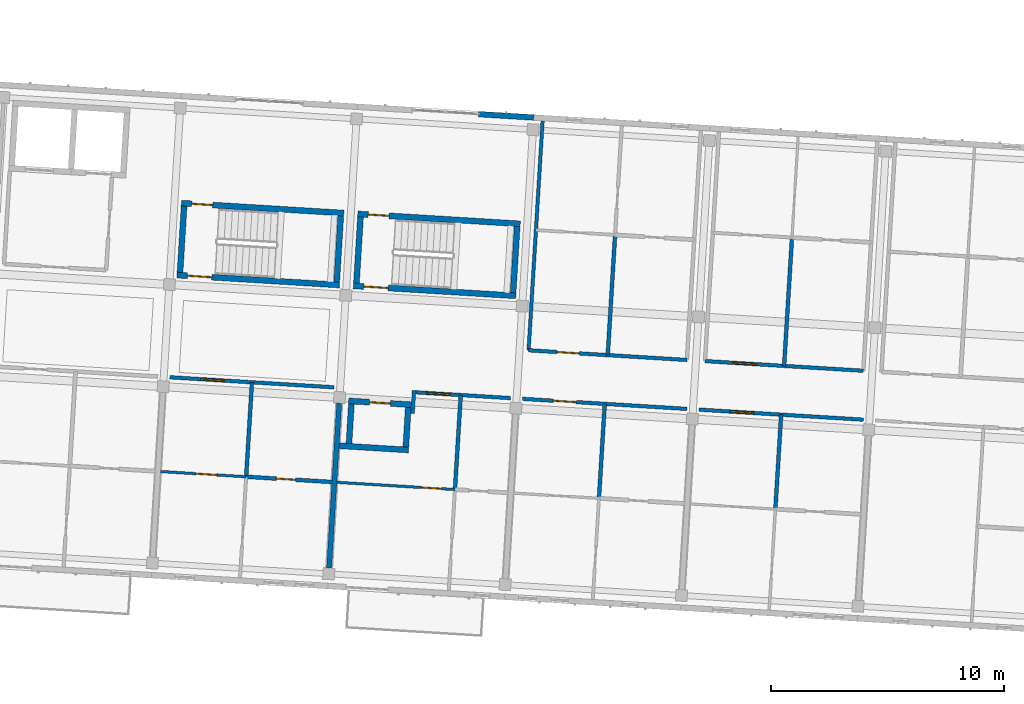
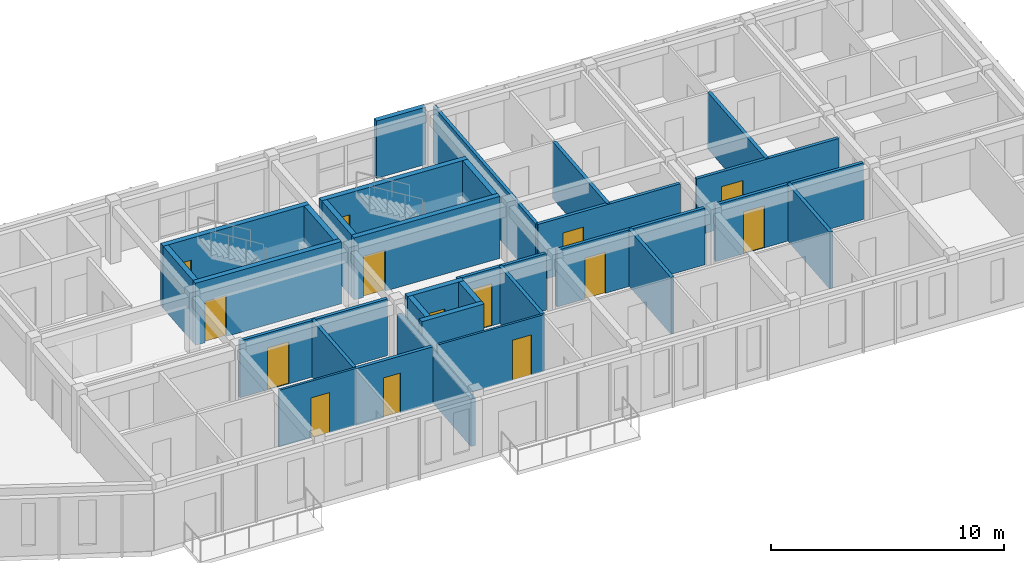
# One storey, part 26 of 66: 31 walls, 14 doors, 14 openings.
"""IFC4 building model written with IfcOpenShell, lengths in metres."""

from ifc_helpers import new_model, si_unit, direction, frame, frame_2d, origin, place, context, subcontext, project, spatial, rectangle, extrude, material, layer, layer_set, type_object, element, fill, save


model = new_model("IFC4")

# Units and contexts
model_context = context("Model", 3, precision=1e-05, world=origin(), true_north=direction((0.0, 1.0)))
body_context = subcontext(model_context, "Body", "Model", "MODEL_VIEW")
ifc_project = project(units=[si_unit("LENGTHUNIT", "METRE"), si_unit("AREAUNIT", "SQUARE_METRE"), si_unit("VOLUMEUNIT", "CUBIC_METRE"), si_unit("PLANEANGLEUNIT", "RADIAN"), si_unit("MASSUNIT", "GRAM", prefix="KILO")], contexts=[model_context])

# Site, building, storey
site_placement = place(None, origin())
site = spatial("IfcSite", under=ifc_project, at=site_placement, CompositionType="ELEMENT")
building_placement = place(site_placement, origin())
building = spatial("IfcBuilding", under=site, at=building_placement, Name="Kestramere Prow Commons", CompositionType="ELEMENT")
storey_placement = place(building_placement, frame((0.0, 0.0, 14.89990234375)))
storey = spatial("IfcBuildingStorey", under=building, at=storey_placement, Name="L04", CompositionType="ELEMENT", Elevation=14.89990234375)

# Wall
ifc_material_1 = material(Name="Fluoropolymer Standing-Seam Zinc-Aluminium Cladding", Category="aluminium")
ifc_layer_1 = layer(ifc_material_1, 0.239990234375)
ifc_layer_set_1 = layer_set([ifc_layer_1], Name="Fluoropolymer Standing-Seam Zinc-Aluminium Cladding")
wall_type_1 = type_object("IfcWallType", Name="EW-SEAM-240", PredefinedType="SOLIDWALL", material=ifc_layer_set_1)
wall_1_placement = place(storey_placement, frame((81.115478515625, 65.340576171875, 0.0), z_axis=(0.0, 0.0, 1.0), x_axis=(0.998134103342, -0.061059902923, 0.0)))
element("IfcWall", 1, at=wall_1_placement, inside=storey, type_object=wall_type_1, Name="Block C L04 North Standing-Seam Pier 3R", PredefinedType="SOLIDWALL", context=body_context, shape_type="SweptSolid", body=[
    extrude(rectangle(XDim=2.375, YDim=0.239990234375, at=frame_2d((1.1875, 0.0))), origin(), (0.0, 0.0, 1.0), 3.0),
])

# Wall, opening, door
ifc_material_2 = material(Name="Concrete C40/50", Category="concrete")
ifc_layer_2 = layer(ifc_material_2, 0.25)
ifc_layer_set_2 = layer_set([ifc_layer_2], Name="Concrete C40/50")
wall_type_2 = type_object("IfcWallType", Name="W-CORE-250", PredefinedType="SHEAR", material=ifc_layer_set_2)
wall_2_placement = place(storey_placement, frame((68.3330078125, 61.513671875, 0.0), z_axis=(0.0, 0.0, 1.0), x_axis=(0.998135676081, -0.061034188237, 0.0)))
wall_2 = element("IfcWall", 2, at=wall_2_placement, inside=storey, type_object=wall_type_2, Name="ST-C1 L04 North Shaft Wall", PredefinedType="SHEAR", context=body_context, shape_type="SweptSolid", body=[
    extrude(rectangle(XDim=7.0, YDim=0.25, at=frame_2d((3.5, 0.0))), origin(), (0.0, 0.0, 1.0), 3.25),
])
opening_1_placement = place(wall_2_placement, frame((0.449951171875, 0.0, 0.0)))
opening_1 = element("IfcOpeningElement", 3, at=opening_1_placement, cuts=wall_2, Name="Opening ID-08", PredefinedType="OPENING", context=body_context, shape_type="SweptSolid", body=[
    extrude(rectangle(XDim=0.89990234375, YDim=2.10009765625, at=frame_2d((0.449951171875, 1.050048828125))), frame((0.0, 0.139892578125, 0.0), z_axis=(0.0, -1.0, 0.0), x_axis=(1.0, 0.0, 0.0)), (0.0, 0.0, 1.0), 0.280029296875),
])
ifc_material_3 = material(Name="Engineered Timber Flush Door", Category="wood")
door_type_1 = type_object("IfcDoorType", Name="D-RM-01", OperationType="NOTDEFINED", PredefinedType="DOOR", material=ifc_material_3)
door_1_placement = place(opening_1_placement, origin())
door_1 = element("IfcDoor", 4, at=door_1_placement, inside=storey, type_object=door_type_1, Name="ST-C1 L04 North Room Door", OperationType="SINGLE_SWING_RIGHT", OverallHeight=2.10009765625, OverallWidth=0.89990234375, PredefinedType="DOOR", context=body_context, shape_type="SweptSolid", body=[
    extrude(rectangle(XDim=0.89990234375, YDim=2.10009765625, at=frame_2d((0.449951171875, 1.050048828125))), frame((0.0, 0.02490234375, 0.0), z_axis=(0.0, -1.0, 0.0), x_axis=(1.0, 0.0, 0.0)), (0.0, 0.0, 1.0), 0.050048828125),
])
fill(opening_1, door_1)

wall_3_placement = place(storey_placement, frame((68.143798828125, 58.41943359375, 0.0), z_axis=(0.0, 0.0, 1.0), x_axis=(0.998135546153, -0.061036313012, 0.0)))
wall_3 = element("IfcWall", 5, at=wall_3_placement, inside=storey, type_object=wall_type_2, Name="ST-C1 L04 Corridor Shaft Wall", PredefinedType="SHEAR", context=body_context, shape_type="SweptSolid", body=[
    extrude(rectangle(XDim=6.999755859375, YDim=0.25, at=frame_2d((3.5, 0.0))), origin(), (0.0, 0.0, 1.0), 3.25),
])
opening_2_placement = place(wall_3_placement, frame((0.449951171875, 0.0, 0.0)))
opening_2 = element("IfcOpeningElement", 6, at=opening_2_placement, cuts=wall_3, Name="Opening ID-01", PredefinedType="OPENING", context=body_context, shape_type="SweptSolid", body=[
    extrude(rectangle(XDim=1.050048828125, YDim=2.14990234375, at=frame_2d((0.52490234375, 1.074951171875))), frame((0.0, 0.139892578125, 0.0), z_axis=(0.0, -1.0, 0.0), x_axis=(1.0, 0.0, 0.0)), (0.0, 0.0, 1.0), 0.280029296875),
])
ifc_material_4 = material(Name="Fire-Rated Timber and Steel Frame", Category="steel")
door_type_2 = type_object("IfcDoorType", Name="FD-ST-01", OperationType="NOTDEFINED", PredefinedType="DOOR", material=ifc_material_4)
door_2_placement = place(opening_2_placement, origin())
door_2 = element("IfcDoor", 7, at=door_2_placement, inside=storey, type_object=door_type_2, Name="ST-C1 L04 Protected Stair Door", OperationType="SINGLE_SWING_LEFT", OverallHeight=2.14990234375, OverallWidth=1.050048828125, PredefinedType="DOOR", context=body_context, shape_type="SweptSolid", body=[
    extrude(rectangle(XDim=1.050048828125, YDim=2.14990234375, at=frame_2d((0.52490234375, 1.074951171875))), frame((0.0, 0.02490234375, 0.0), z_axis=(0.0, -1.0, 0.0), x_axis=(1.0, 0.0, 0.0)), (0.0, 0.0, 1.0), 0.050048828125),
])
fill(opening_2, door_2)

# Walls
for number, where, z_axis, x_axis, name in (
    (8, (68.276123046875, 58.53662109375, 0.0), (0.0, 0.0, 1.0), (0.06107697143, 0.998133059046, 0.0), "ST-C1 L04 Near Shaft Wall"),
    (9, (75.013671875, 58.12451171875, 0.0), (0.0, 0.0, 1.0), (0.060991628362, 0.99813827763, 0.0), "ST-C1 L04 Far Shaft Wall"),
):
    element("IfcWall", number, at=place(storey_placement, frame(where, z_axis=z_axis, x_axis=x_axis)), inside=storey, type_object=wall_type_2, Name=name, PredefinedType="SHEAR", context=body_context, shape_type="SweptSolid", body=[
        extrude(rectangle(XDim=2.85009765625, YDim=0.25, at=frame_2d((1.425048828125, 0.0))), origin(), (0.0, 0.0, 1.0), 3.25),
    ])

# Wall, opening, door
wall_4_placement = place(storey_placement, frame((75.9189453125, 61.0498046875, 0.0), z_axis=(0.0, 0.0, 1.0), x_axis=(0.998135546153, -0.061036313012, 0.0)))
wall_4 = element("IfcWall", 10, at=wall_4_placement, inside=storey, type_object=wall_type_2, Name="ST-C2 L04 North Shaft Wall", PredefinedType="SHEAR", context=body_context, shape_type="SweptSolid", body=[
    extrude(rectangle(XDim=6.999755859375, YDim=0.25, at=frame_2d((3.5, 0.0))), origin(), (0.0, 0.0, 1.0), 3.25),
])
opening_3_placement = place(wall_4_placement, frame((0.449951171875, 0.0, 0.0)))
opening_3 = element("IfcOpeningElement", 11, at=opening_3_placement, cuts=wall_4, Name="Opening ID-08", PredefinedType="OPENING", context=body_context, shape_type="SweptSolid", body=[
    extrude(rectangle(XDim=0.89990234375, YDim=2.10009765625, at=frame_2d((0.449951171875, 1.050048828125))), frame((0.0, 0.139892578125, 0.0), z_axis=(0.0, -1.0, 0.0), x_axis=(1.0, 0.0, 0.0)), (0.0, 0.0, 1.0), 0.280029296875),
])
door_3_placement = place(opening_3_placement, origin())
door_3 = element("IfcDoor", 12, at=door_3_placement, inside=storey, type_object=door_type_1, Name="ST-C2 L04 North Room Door", OperationType="SINGLE_SWING_RIGHT", OverallHeight=2.10009765625, OverallWidth=0.89990234375, PredefinedType="DOOR", context=body_context, shape_type="SweptSolid", body=[
    extrude(rectangle(XDim=0.89990234375, YDim=2.10009765625, at=frame_2d((0.449951171875, 1.050048828125))), frame((0.0, 0.02490234375, 0.0), z_axis=(0.0, -1.0, 0.0), x_axis=(1.0, 0.0, 0.0)), (0.0, 0.0, 1.0), 0.050048828125),
])
fill(opening_3, door_3)

wall_5_placement = place(storey_placement, frame((75.729736328125, 57.95556640625, 0.0), z_axis=(0.0, 0.0, 1.0), x_axis=(0.998135546153, -0.061036313012, 0.0)))
wall_5 = element("IfcWall", 13, at=wall_5_placement, inside=storey, type_object=wall_type_2, Name="ST-C2 L04 Corridor Shaft Wall", PredefinedType="SHEAR", context=body_context, shape_type="SweptSolid", body=[
    extrude(rectangle(XDim=6.999755859375, YDim=0.25, at=frame_2d((3.5, 0.0))), origin(), (0.0, 0.0, 1.0), 3.25),
])
opening_4_placement = place(wall_5_placement, frame((0.449951171875, 0.0, 0.0)))
opening_4 = element("IfcOpeningElement", 14, at=opening_4_placement, cuts=wall_5, Name="Opening ID-01", PredefinedType="OPENING", context=body_context, shape_type="SweptSolid", body=[
    extrude(rectangle(XDim=1.050048828125, YDim=2.14990234375, at=frame_2d((0.52490234375, 1.074951171875))), frame((0.0, 0.139892578125, 0.0), z_axis=(0.0, -1.0, 0.0), x_axis=(1.0, 0.0, 0.0)), (0.0, 0.0, 1.0), 0.280029296875),
])
door_4_placement = place(opening_4_placement, origin())
door_4 = element("IfcDoor", 15, at=door_4_placement, inside=storey, type_object=door_type_2, Name="ST-C2 L04 Protected Stair Door", OperationType="SINGLE_SWING_LEFT", OverallHeight=2.14990234375, OverallWidth=1.050048828125, PredefinedType="DOOR", context=body_context, shape_type="SweptSolid", body=[
    extrude(rectangle(XDim=1.050048828125, YDim=2.14990234375, at=frame_2d((0.52490234375, 1.074951171875))), frame((0.0, 0.02490234375, 0.0), z_axis=(0.0, -1.0, 0.0), x_axis=(1.0, 0.0, 0.0)), (0.0, 0.0, 1.0), 0.050048828125),
])
fill(opening_4, door_4)

# Walls
for number, where, z_axis, x_axis, name in (
    (16, (75.862060546875, 58.07275390625, 0.0), (0.0, 0.0, 1.0), (0.060991628362, 0.99813827763, 0.0), "ST-C2 L04 Near Shaft Wall"),
    (17, (82.599365234375, 57.66064453125, 0.0), (0.0, 0.0, 1.0), (0.06107697143, 0.998133059046, 0.0), "ST-C2 L04 Far Shaft Wall"),
):
    element("IfcWall", number, at=place(storey_placement, frame(where, z_axis=z_axis, x_axis=x_axis)), inside=storey, type_object=wall_type_2, Name=name, PredefinedType="SHEAR", context=body_context, shape_type="SweptSolid", body=[
        extrude(rectangle(XDim=2.85009765625, YDim=0.25, at=frame_2d((1.425048828125, 0.0))), origin(), (0.0, 0.0, 1.0), 3.25),
    ])

# Wall, opening, door
ifc_material_5 = material(Name="Fire-Rated Calcium Silicate Wall")
ifc_layer_3 = layer(ifc_material_5, 0.155029296875)
ifc_layer_set_3 = layer_set([ifc_layer_3], Name="Fire-Rated Calcium Silicate Wall")
wall_type_3 = type_object("IfcWallType", Name="W-FIRE-150", PredefinedType="PARTITIONING", material=ifc_layer_set_3)
wall_6_placement = place(storey_placement, frame((67.8349609375, 54.025146484375, 0.0), z_axis=(0.0, 0.0, 1.0), x_axis=(0.998135666539, -0.061034344288, 0.0)))
wall_6 = element("IfcWall", 18, at=wall_6_placement, inside=storey, type_object=wall_type_3, Name="Interior Partition PW-C-L04-CS-1", PredefinedType="PARTITIONING", context=body_context, shape_type="SweptSolid", body=[
    extrude(rectangle(XDim=7.080078125, YDim=0.155029296875, at=frame_2d((3.5400390625, 0.0))), origin(), (0.0, 0.0, 1.0), 2.97021484375),
])
opening_5_placement = place(wall_6_placement, frame((1.330078125, 0.0, 0.0)))
opening_5 = element("IfcOpeningElement", 19, at=opening_5_placement, cuts=wall_6, Name="Opening ID-05", PredefinedType="OPENING", context=body_context, shape_type="SweptSolid", body=[
    extrude(rectangle(XDim=1.02001953125, YDim=2.199951171875, at=frame_2d((0.510009765625, 1.10009765625))), frame((0.0, 0.092529296875, 0.0), z_axis=(0.0, -1.0, 0.0), x_axis=(1.0, 0.0, 0.0)), (0.0, 0.0, 1.0), 0.18505859375),
])
ifc_material_6 = material(Name="Hardwood Fire-Rated Flat Entrance Door", Category="wood")
door_type_3 = type_object("IfcDoorType", Name="FD-ENT-02", OperationType="NOTDEFINED", PredefinedType="DOOR", material=ifc_material_6)
door_5_placement = place(opening_5_placement, origin())
door_5 = element("IfcDoor", 20, at=door_5_placement, inside=storey, type_object=door_type_3, Name="Interior Door DR-C-L04-ENT-S1", OperationType="SINGLE_SWING_RIGHT", OverallHeight=2.199951171875, OverallWidth=1.02001953125, PredefinedType="DOOR", context=body_context, shape_type="SweptSolid", body=[
    extrude(rectangle(XDim=1.02001953125, YDim=2.199951171875, at=frame_2d((0.510009765625, 1.10009765625))), frame((0.0, 0.02490234375, 0.0), z_axis=(0.0, -1.0, 0.0), x_axis=(1.0, 0.0, 0.0)), (0.0, 0.0, 1.0), 0.050048828125),
])
fill(opening_5, door_5)

# Wall
wall_7_placement = place(storey_placement, frame((78.279052734375, 52.464599609375, 0.0), z_axis=(0.0, 0.0, 1.0), x_axis=(0.061095097219, 0.998131949742, 0.0)))
element("IfcWall", 21, at=wall_7_placement, inside=storey, type_object=wall_type_3, Name="Interior Partition PW-C-L04-HS-CLOSER", PredefinedType="PARTITIONING", context=body_context, shape_type="SweptSolid", body=[
    extrude(rectangle(XDim=0.9951171875, YDim=0.155029296875, at=frame_2d((0.49755859375, 0.0))), origin(), (0.0, 0.0, 1.0), 2.97021484375),
])

# Wall, opening, door
wall_8_placement = place(storey_placement, frame((78.415283203125, 53.378173828125, 0.0), z_axis=(0.0, 0.0, 1.0), x_axis=(0.998131852862, -0.061096679962, 0.0)))
wall_8 = element("IfcWall", 22, at=wall_8_placement, inside=storey, type_object=wall_type_3, Name="Interior Partition PW-C-L04-CS-2", PredefinedType="PARTITIONING", context=body_context, shape_type="SweptSolid", body=[
    extrude(rectangle(XDim=4.079833984375, YDim=0.155029296875, at=frame_2d((2.0400390625, 0.0))), origin(), (0.0, 0.0, 1.0), 2.97021484375),
])
opening_6_placement = place(wall_8_placement, frame((0.45703125, 0.0, 0.0)))
opening_6 = element("IfcOpeningElement", 23, at=opening_6_placement, cuts=wall_8, Name="Opening ID-05", PredefinedType="OPENING", context=body_context, shape_type="SweptSolid", body=[
    extrude(rectangle(XDim=1.02001953125, YDim=2.199951171875, at=frame_2d((0.510009765625, 1.10009765625))), frame((0.0, 0.092529296875, 0.0), z_axis=(0.0, -1.0, 0.0), x_axis=(1.0, 0.0, 0.0)), (0.0, 0.0, 1.0), 0.18505859375),
])
door_6_placement = place(opening_6_placement, origin())
door_6 = element("IfcDoor", 24, at=door_6_placement, inside=storey, type_object=door_type_3, Name="Interior Door DR-C-L04-ENT-S2", OperationType="SINGLE_SWING_LEFT", OverallHeight=2.199951171875, OverallWidth=1.02001953125, PredefinedType="DOOR", context=body_context, shape_type="SweptSolid", body=[
    extrude(rectangle(XDim=1.02001953125, YDim=2.199951171875, at=frame_2d((0.510009765625, 1.10009765625))), frame((0.0, 0.02490234375, 0.0), z_axis=(0.0, -1.0, 0.0), x_axis=(1.0, 0.0, 0.0)), (0.0, 0.0, 1.0), 0.050048828125),
])
fill(opening_6, door_6)

wall_9_placement = place(storey_placement, frame((83.006591796875, 53.09716796875, 0.0), z_axis=(0.0, 0.0, 1.0), x_axis=(0.998135666539, -0.061034344288, 0.0)))
wall_9 = element("IfcWall", 25, at=wall_9_placement, inside=storey, type_object=wall_type_3, Name="Interior Partition PW-C-L04-CS-3", PredefinedType="PARTITIONING", context=body_context, shape_type="SweptSolid", body=[
    extrude(rectangle(XDim=7.080078125, YDim=0.155029296875, at=frame_2d((3.5400390625, 0.0))), origin(), (0.0, 0.0, 1.0), 2.97021484375),
])
opening_7_placement = place(wall_9_placement, frame((1.330078125, 0.0, 0.0)))
opening_7 = element("IfcOpeningElement", 26, at=opening_7_placement, cuts=wall_9, Name="Opening ID-04", PredefinedType="OPENING", context=body_context, shape_type="SweptSolid", body=[
    extrude(rectangle(XDim=0.97998046875, YDim=2.14990234375, at=frame_2d((0.489990234375, 1.074951171875))), frame((0.0, 0.092529296875, 0.0), z_axis=(0.0, -1.0, 0.0), x_axis=(1.0, 0.0, 0.0)), (0.0, 0.0, 1.0), 0.18505859375),
])
door_type_4 = type_object("IfcDoorType", Name="FD-ENT-01", OperationType="NOTDEFINED", PredefinedType="DOOR", material=ifc_material_6)
door_7_placement = place(opening_7_placement, origin())
door_7 = element("IfcDoor", 27, at=door_7_placement, inside=storey, type_object=door_type_4, Name="Interior Door DR-C-L04-ENT-S3", OperationType="SINGLE_SWING_RIGHT", OverallHeight=2.14990234375, OverallWidth=0.97998046875, PredefinedType="DOOR", context=body_context, shape_type="SweptSolid", body=[
    extrude(rectangle(XDim=0.97998046875, YDim=2.14990234375, at=frame_2d((0.489990234375, 1.074951171875))), frame((0.0, 0.02490234375, 0.0), z_axis=(0.0, -1.0, 0.0), x_axis=(1.0, 0.0, 0.0)), (0.0, 0.0, 1.0), 0.050048828125),
])
fill(opening_7, door_7)

wall_10_placement = place(storey_placement, frame((90.592529296875, 52.63330078125, 0.0), z_axis=(0.0, 0.0, 1.0), x_axis=(0.998135538078, -0.061036445065, 0.0)))
wall_10 = element("IfcWall", 28, at=wall_10_placement, inside=storey, type_object=wall_type_3, Name="Interior Partition PW-C-L04-CS-4", PredefinedType="PARTITIONING", context=body_context, shape_type="SweptSolid", body=[
    extrude(rectangle(XDim=7.079833984375, YDim=0.155029296875, at=frame_2d((3.5400390625, 0.0))), origin(), (0.0, 0.0, 1.0), 2.97021484375),
])
opening_8_placement = place(wall_10_placement, frame((1.330078125, 0.0, 0.0)))
opening_8 = element("IfcOpeningElement", 29, at=opening_8_placement, cuts=wall_10, Name="Opening ID-05", PredefinedType="OPENING", context=body_context, shape_type="SweptSolid", body=[
    extrude(rectangle(XDim=1.02001953125, YDim=2.199951171875, at=frame_2d((0.510009765625, 1.10009765625))), frame((0.0, 0.092529296875, 0.0), z_axis=(0.0, -1.0, 0.0), x_axis=(1.0, 0.0, 0.0)), (0.0, 0.0, 1.0), 0.18505859375),
])
door_8_placement = place(opening_8_placement, origin())
door_8 = element("IfcDoor", 30, at=door_8_placement, inside=storey, type_object=door_type_3, Name="Interior Door DR-C-L04-ENT-S4", OperationType="SINGLE_SWING_LEFT", OverallHeight=2.199951171875, OverallWidth=1.02001953125, PredefinedType="DOOR", context=body_context, shape_type="SweptSolid", body=[
    extrude(rectangle(XDim=1.02001953125, YDim=2.199951171875, at=frame_2d((0.510009765625, 1.10009765625))), frame((0.0, 0.02490234375, 0.0), z_axis=(0.0, -1.0, 0.0), x_axis=(1.0, 0.0, 0.0)), (0.0, 0.0, 1.0), 0.050048828125),
])
fill(opening_8, door_8)

wall_11_placement = place(storey_placement, frame((83.2646484375, 55.185302734375, 0.0), z_axis=(0.0, 0.0, 1.0), x_axis=(0.998135531673, -0.061036549799, 0.0)))
wall_11 = element("IfcWall", 31, at=wall_11_placement, inside=storey, type_object=wall_type_3, Name="Interior Partition PW-C-L04-CN-3", PredefinedType="PARTITIONING", context=body_context, shape_type="SweptSolid", body=[
    extrude(rectangle(XDim=6.81982421875, YDim=0.155029296875, at=frame_2d((3.409912109375, 0.0))), origin(), (0.0, 0.0, 1.0), 2.97021484375),
])
opening_9_placement = place(wall_11_placement, frame((1.205078125, 0.0, 0.0)))
opening_9 = element("IfcOpeningElement", 32, at=opening_9_placement, cuts=wall_11, Name="Opening ID-04", PredefinedType="OPENING", context=body_context, shape_type="SweptSolid", body=[
    extrude(rectangle(XDim=0.97998046875, YDim=2.14990234375, at=frame_2d((0.489990234375, 1.074951171875))), frame((0.0, 0.092529296875, 0.0), z_axis=(0.0, -1.0, 0.0), x_axis=(1.0, 0.0, 0.0)), (0.0, 0.0, 1.0), 0.18505859375),
])
door_9_placement = place(opening_9_placement, origin())
door_9 = element("IfcDoor", 33, at=door_9_placement, inside=storey, type_object=door_type_4, Name="Interior Door DR-C-L04-ENT-N3", OperationType="SINGLE_SWING_RIGHT", OverallHeight=2.14990234375, OverallWidth=0.97998046875, PredefinedType="DOOR", context=body_context, shape_type="SweptSolid", body=[
    extrude(rectangle(XDim=0.97998046875, YDim=2.14990234375, at=frame_2d((0.489990234375, 1.074951171875))), frame((0.0, 0.02490234375, 0.0), z_axis=(0.0, -1.0, 0.0), x_axis=(1.0, 0.0, 0.0)), (0.0, 0.0, 1.0), 0.050048828125),
])
fill(opening_9, door_9)

wall_12_placement = place(storey_placement, frame((90.850341796875, 54.721435546875, 0.0), z_axis=(0.0, 0.0, 1.0), x_axis=(0.998135665032, -0.06103436893, 0.0)))
wall_12 = element("IfcWall", 34, at=wall_12_placement, inside=storey, type_object=wall_type_3, Name="Interior Partition PW-C-L04-CN-4", PredefinedType="PARTITIONING", context=body_context, shape_type="SweptSolid", body=[
    extrude(rectangle(XDim=6.820068359375, YDim=0.155029296875, at=frame_2d((3.41015625, 0.0))), origin(), (0.0, 0.0, 1.0), 2.97021484375),
])
opening_10_placement = place(wall_12_placement, frame((1.205078125, 0.0, 0.0)))
opening_10 = element("IfcOpeningElement", 35, at=opening_10_placement, cuts=wall_12, Name="Opening ID-05", PredefinedType="OPENING", context=body_context, shape_type="SweptSolid", body=[
    extrude(rectangle(XDim=1.02001953125, YDim=2.199951171875, at=frame_2d((0.510009765625, 1.10009765625))), frame((0.0, 0.092529296875, 0.0), z_axis=(0.0, -1.0, 0.0), x_axis=(1.0, 0.0, 0.0)), (0.0, 0.0, 1.0), 0.18505859375),
])
door_10_placement = place(opening_10_placement, origin())
door_10 = element("IfcDoor", 36, at=door_10_placement, inside=storey, type_object=door_type_3, Name="Interior Door DR-C-L04-ENT-N4", OperationType="SINGLE_SWING_LEFT", OverallHeight=2.199951171875, OverallWidth=1.02001953125, PredefinedType="DOOR", context=body_context, shape_type="SweptSolid", body=[
    extrude(rectangle(XDim=1.02001953125, YDim=2.199951171875, at=frame_2d((0.510009765625, 1.10009765625))), frame((0.0, 0.02490234375, 0.0), z_axis=(0.0, -1.0, 0.0), x_axis=(1.0, 0.0, 0.0)), (0.0, 0.0, 1.0), 0.050048828125),
])
fill(opening_10, door_10)

# Wall
ifc_layer_4 = layer(ifc_material_2, 0.25)
ifc_layer_set_4 = layer_set([ifc_layer_4], Name="Concrete C40/50")
wall_type_4 = type_object("IfcWallType", Name="W-HS-250", PredefinedType="SHEAR", material=ifc_layer_set_4)
wall_13_placement = place(storey_placement, frame((75.11865234375, 51.080078125, 0.0), z_axis=(0.0, 0.0, 1.0), x_axis=(0.998133370443, -0.061071882298, 0.0)))
element("IfcWall", 37, at=wall_13_placement, inside=storey, type_object=wall_type_4, Name="Block C L04 Household Shelter South Wall", PredefinedType="SHEAR", context=body_context, shape_type="SweptSolid", body=[
    extrude(rectangle(XDim=2.990234375, YDim=0.25, at=frame_2d((1.4951171875, 0.0))), origin(), (0.0, 0.0, 1.0), 3.25),
])

# Wall, opening, door
wall_14_placement = place(storey_placement, frame((75.52734375, 53.0087890625, 0.0), z_axis=(0.0, 0.0, 1.0), x_axis=(0.998129907752, -0.061128448781, 0.0)))
wall_14 = element("IfcWall", 38, at=wall_14_placement, inside=storey, type_object=wall_type_4, Name="Block C L04 Household Shelter North Wall", PredefinedType="SHEAR", context=body_context, shape_type="SweptSolid", body=[
    extrude(rectangle(XDim=2.699951171875, YDim=0.25, at=frame_2d((1.35009765625, 0.0))), origin(), (0.0, 0.0, 1.0), 3.25),
])
opening_11_placement = place(wall_14_placement, frame((0.89990234375, 0.0, 0.0)))
opening_11 = element("IfcOpeningElement", 39, at=opening_11_placement, cuts=wall_14, Name="Opening ID-06", PredefinedType="OPENING", context=body_context, shape_type="SweptSolid", body=[
    extrude(rectangle(XDim=0.89990234375, YDim=2.050048828125, at=frame_2d((0.449951171875, 1.02490234375))), frame((0.0, 0.139892578125, 0.0), z_axis=(0.0, -1.0, 0.0), x_axis=(1.0, 0.0, 0.0)), (0.0, 0.0, 1.0), 0.280029296875),
])
ifc_material_7 = material(Name="Galvanised Steel S275JR Household Shelter Door", Category="steel")
door_type_5 = type_object("IfcDoorType", Name="FD-HS-01", OperationType="NOTDEFINED", PredefinedType="DOOR", material=ifc_material_7)
door_11_placement = place(opening_11_placement, origin())
door_11 = element("IfcDoor", 40, at=door_11_placement, inside=storey, type_object=door_type_5, Name="Block C L04 Household Shelter Blast Door", OperationType="SINGLE_SWING_RIGHT", OverallHeight=2.050048828125, OverallWidth=0.89990234375, PredefinedType="DOOR", context=body_context, shape_type="SweptSolid", body=[
    extrude(rectangle(XDim=0.89990234375, YDim=2.050048828125, at=frame_2d((0.449951171875, 1.02490234375))), frame((0.0, 0.02490234375, 0.0), z_axis=(0.0, -1.0, 0.0), x_axis=(1.0, 0.0, 0.0)), (0.0, 0.0, 1.0), 0.050048828125),
])
fill(opening_11, door_11)

# Walls
wall_15_placement = place(storey_placement, frame((75.54052734375, 51.179443359375, 0.0), z_axis=(0.0, 0.0, 1.0), x_axis=(0.061037062968, 0.998135500293, 0.0)))
element("IfcWall", 41, at=wall_15_placement, inside=storey, type_object=wall_type_4, Name="Block C L04 Household Shelter W Wall", PredefinedType="SHEAR", context=body_context, shape_type="SweptSolid", body=[
    extrude(rectangle(XDim=1.699951171875, YDim=0.25, at=frame_2d((0.85009765625, 0.0))), origin(), (0.0, 0.0, 1.0), 3.25),
])
wall_16_placement = place(storey_placement, frame((77.986083984375, 51.02978515625, 0.0), z_axis=(0.0, 0.0, 1.0), x_axis=(0.061028314627, 0.998136035225, 0.0)))
element("IfcWall", 42, at=wall_16_placement, inside=storey, type_object=wall_type_4, Name="Block C L04 Household Shelter E Wall", PredefinedType="SHEAR", context=body_context, shape_type="SweptSolid", body=[
    extrude(rectangle(XDim=1.7001953125, YDim=0.25, at=frame_2d((0.85009765625, 0.0))), origin(), (0.0, 0.0, 1.0), 3.25),
])

# Wall, opening, door
ifc_material_8 = material(Name="Gypsum Acoustic Drywall")
ifc_layer_5 = layer(ifc_material_8, 0.110107421875)
ifc_layer_set_5 = layer_set([ifc_layer_5], Name="Gypsum Acoustic Drywall")
wall_type_5 = type_object("IfcWallType", Name="W-PART-110", PredefinedType="PARTITIONING", material=ifc_layer_set_5)
wall_17_placement = place(storey_placement, frame((67.441650390625, 49.9716796875, 0.0), z_axis=(0.0, 0.0, 1.0), x_axis=(0.998132682596, -0.061083123148, 0.0)))
wall_17 = element("IfcWall", 43, at=wall_17_placement, inside=storey, type_object=wall_type_5, Name="Interior Partition PW-C-L04-MIDS1-1", PredefinedType="PARTITIONING", context=body_context, shape_type="SweptSolid", body=[
    extrude(rectangle(XDim=3.68505859375, YDim=0.110107421875, at=frame_2d((1.842529296875, 0.0))), origin(), (0.0, 0.0, 1.0), 2.97021484375),
])
opening_12_placement = place(wall_17_placement, frame((1.52490234375, 0.0, 0.0)))
opening_12 = element("IfcOpeningElement", 44, at=opening_12_placement, cuts=wall_17, Name="Opening ID-08", PredefinedType="OPENING", context=body_context, shape_type="SweptSolid", body=[
    extrude(rectangle(XDim=0.89990234375, YDim=2.10009765625, at=frame_2d((0.449951171875, 1.050048828125))), frame((0.0, 0.070068359375, 0.0), z_axis=(0.0, -1.0, 0.0), x_axis=(1.0, 0.0, 0.0)), (0.0, 0.0, 1.0), 0.14013671875),
])
door_12_placement = place(opening_12_placement, origin())
door_12 = element("IfcDoor", 45, at=door_12_placement, inside=storey, type_object=door_type_1, Name="Interior Door DR-C-L04-KL-S1", OperationType="SINGLE_SWING_RIGHT", OverallHeight=2.10009765625, OverallWidth=0.89990234375, PredefinedType="DOOR", context=body_context, shape_type="SweptSolid", body=[
    extrude(rectangle(XDim=0.89990234375, YDim=2.10009765625, at=frame_2d((0.449951171875, 1.050048828125))), frame((0.0, 0.02490234375, 0.0), z_axis=(0.0, -1.0, 0.0), x_axis=(1.0, 0.0, 0.0)), (0.0, 0.0, 1.0), 0.050048828125),
])
fill(opening_12, door_12)

wall_18_placement = place(storey_placement, frame((75.027587890625, 49.507568359375, 0.0), z_axis=(0.0, 0.0, 1.0), x_axis=(0.998135637207, -0.061034823981, 0.0)))
wall_18 = element("IfcWall", 46, at=wall_18_placement, inside=storey, type_object=wall_type_5, Name="Interior Partition PW-C-L04-MIDS1-2", PredefinedType="PARTITIONING", context=body_context, shape_type="SweptSolid", body=[
    extrude(rectangle(XDim=5.080078125, YDim=0.110107421875, at=frame_2d((2.5400390625, 0.0))), origin(), (0.0, 0.0, 1.0), 2.97021484375),
])
opening_13_placement = place(wall_18_placement, frame((3.594970703125, 0.0, 0.0)))
opening_13 = element("IfcOpeningElement", 47, at=opening_13_placement, cuts=wall_18, Name="Opening ID-08", PredefinedType="OPENING", context=body_context, shape_type="SweptSolid", body=[
    extrude(rectangle(XDim=0.89990234375, YDim=2.10009765625, at=frame_2d((0.449951171875, 1.050048828125))), frame((0.0, 0.070068359375, 0.0), z_axis=(0.0, -1.0, 0.0), x_axis=(1.0, 0.0, 0.0)), (0.0, 0.0, 1.0), 0.14013671875),
])
door_13_placement = place(opening_13_placement, origin())
door_13 = element("IfcDoor", 48, at=door_13_placement, inside=storey, type_object=door_type_1, Name="Interior Door DR-C-L04-KL-S2", OperationType="SINGLE_SWING_RIGHT", OverallHeight=2.10009765625, OverallWidth=0.89990234375, PredefinedType="DOOR", context=body_context, shape_type="SweptSolid", body=[
    extrude(rectangle(XDim=0.89990234375, YDim=2.10009765625, at=frame_2d((0.449951171875, 1.050048828125))), frame((0.0, 0.02490234375, 0.0), z_axis=(0.0, -1.0, 0.0), x_axis=(1.0, 0.0, 0.0)), (0.0, 0.0, 1.0), 0.050048828125),
])
fill(opening_13, door_13)

# Wall
ifc_material_9 = material(Name="Masonry Compartment Wall", Category="masonry")
ifc_layer_6 = layer(ifc_material_9, 0.14990234375)
ifc_layer_set_6 = layer_set([ifc_layer_6], Name="Masonry Compartment Wall")
wall_type_6 = type_object("IfcWallType", Name="W-PART-150", PredefinedType="PARTITIONING", material=ifc_layer_set_6)
wall_19_placement = place(storey_placement, frame((83.2646484375, 55.185302734375, 0.0), z_axis=(0.0, 0.0, 1.0), x_axis=(0.061046193261, 0.998134941923, 0.0)))
element("IfcWall", 49, at=wall_19_placement, inside=storey, type_object=wall_type_6, Name="Interior Partition PW-C-L04-NWL-3", PredefinedType="PARTITIONING", context=body_context, shape_type="SweptSolid", body=[
    extrude(rectangle(XDim=9.8701171875, YDim=0.14990234375, at=frame_2d((4.93505859375, 0.0))), origin(), (0.0, 0.0, 1.0), 2.97021484375),
])

# Wall, opening, door
ifc_material_10 = material(Name="Waterproof Sanitary Masonry Wall", Category="masonry")
ifc_layer_7 = layer(ifc_material_10, 0.1650390625)
ifc_layer_set_7 = layer_set([ifc_layer_7], Name="Waterproof Sanitary Masonry Wall")
wall_type_7 = type_object("IfcWallType", Name="W-PLUMB-150", PredefinedType="PLUMBINGWALL", material=ifc_layer_set_7)
wall_20_placement = place(storey_placement, frame((71.119873046875, 49.74658203125, 0.0), z_axis=(0.0, 0.0, 1.0), x_axis=(0.998136719672, -0.061017119263, 0.0)))
wall_20 = element("IfcWall", 50, at=wall_20_placement, inside=storey, type_object=wall_type_7, Name="Interior Partition PW-C-L04-MIDS2-1", PredefinedType="PLUMBINGWALL", context=body_context, shape_type="SweptSolid", body=[
    extrude(rectangle(XDim=3.68505859375, YDim=0.1650390625, at=frame_2d((1.842529296875, 0.0))), origin(), (0.0, 0.0, 1.0), 2.97021484375),
])
opening_14_placement = place(wall_20_placement, frame((1.300048828125, 0.0, 0.0)))
opening_14 = element("IfcOpeningElement", 51, at=opening_14_placement, cuts=wall_20, Name="Opening ID-11", PredefinedType="OPENING", context=body_context, shape_type="SweptSolid", body=[
    extrude(rectangle(XDim=0.820068359375, YDim=2.080078125, at=frame_2d((0.41015625, 1.0400390625))), frame((0.0, 0.097412109375, 0.0), z_axis=(0.0, -1.0, 0.0), x_axis=(1.0, 0.0, 0.0)), (0.0, 0.0, 1.0), 0.195068359375),
])
ifc_material_11 = material(Name="Moisture-Resistant Timber Bathroom Door", Category="wood")
door_type_6 = type_object("IfcDoorType", Name="D-BT-01", OperationType="NOTDEFINED", PredefinedType="DOOR", material=ifc_material_11)
door_14_placement = place(opening_14_placement, origin())
door_14 = element("IfcDoor", 52, at=door_14_placement, inside=storey, type_object=door_type_6, Name="Interior Door DR-C-L04-BTH-S1", OperationType="SINGLE_SWING_LEFT", OverallHeight=2.080078125, OverallWidth=0.820068359375, PredefinedType="DOOR", context=body_context, shape_type="SweptSolid", body=[
    extrude(rectangle(XDim=0.820068359375, YDim=2.080078125, at=frame_2d((0.41015625, 1.0400390625))), frame((0.0, 0.02490234375, 0.0), z_axis=(0.0, -1.0, 0.0), x_axis=(1.0, 0.0, 0.0)), (0.0, 0.0, 1.0), 0.050048828125),
])
fill(opening_14, door_14)

# Walls
for number, where, z_axis, x_axis, name in (
    (53, (71.119873046875, 49.74658203125, 0.0), (0.0, 0.0, 1.0), (0.061063718724, 0.998133869907, 0.0), "Interior Partition PW-C-L04-KB-S1"),
    (54, (80.09814453125, 49.197509765625, 0.0), (0.0, 0.0, 1.0), (0.061063718724, 0.998133869907, 0.0), "Interior Partition PW-C-L04-KB-S2"),
):
    element("IfcWall", number, at=place(storey_placement, frame(where, z_axis=z_axis, x_axis=x_axis)), inside=storey, type_object=wall_type_7, Name=name, PredefinedType="PLUMBINGWALL", context=body_context, shape_type="SweptSolid", body=[
        extrude(rectangle(XDim=4.070068359375, YDim=0.1650390625, at=frame_2d((2.03515625, 0.0))), origin(), (0.0, 0.0, 1.0), 2.97021484375),
    ])
wall_21_placement = place(storey_placement, frame((86.29150390625, 48.81884765625, 0.0), z_axis=(0.0, 0.0, 1.0), x_axis=(0.061067374954, 0.99813364622, 0.0)))
element("IfcWall", 55, at=wall_21_placement, inside=storey, type_object=wall_type_7, Name="Interior Partition PW-C-L04-KB-S3", PredefinedType="PLUMBINGWALL", context=body_context, shape_type="SweptSolid", body=[
    extrude(rectangle(XDim=4.06982421875, YDim=0.1650390625, at=frame_2d((2.034912109375, 0.0))), origin(), (0.0, 0.0, 1.0), 2.97021484375),
])
wall_22_placement = place(storey_placement, frame((93.87744140625, 48.354736328125, 0.0), z_axis=(0.0, 0.0, 1.0), x_axis=(0.061003958056, 0.998137524143, 0.0)))
element("IfcWall", 56, at=wall_22_placement, inside=storey, type_object=wall_type_7, Name="Interior Partition PW-C-L04-KB-S4", PredefinedType="PLUMBINGWALL", context=body_context, shape_type="SweptSolid", body=[
    extrude(rectangle(XDim=4.070068359375, YDim=0.1650390625, at=frame_2d((2.03515625, 0.0))), origin(), (0.0, 0.0, 1.0), 2.97021484375),
])
wall_23_placement = place(storey_placement, frame((86.668212890625, 54.977294921875, 0.0), z_axis=(0.0, 0.0, 1.0), x_axis=(0.061037231879, 0.998135489963, 0.0)))
element("IfcWall", 57, at=wall_23_placement, inside=storey, type_object=wall_type_7, Name="Interior Partition PW-C-L04-KB-N3", PredefinedType="PLUMBINGWALL", context=body_context, shape_type="SweptSolid", body=[
    extrude(rectangle(XDim=5.179931640625, YDim=0.1650390625, at=frame_2d((2.58984375, 0.0))), origin(), (0.0, 0.0, 1.0), 2.97021484375),
])
wall_24_placement = place(storey_placement, frame((94.25390625, 54.51318359375, 0.0), z_axis=(0.0, 0.0, 1.0), x_axis=(0.061056206715, 0.998134329447, 0.0)))
element("IfcWall", 58, at=wall_24_placement, inside=storey, type_object=wall_type_7, Name="Interior Partition PW-C-L04-KB-N4", PredefinedType="PLUMBINGWALL", context=body_context, shape_type="SweptSolid", body=[
    extrude(rectangle(XDim=5.530029296875, YDim=0.1650390625, at=frame_2d((2.76513671875, 0.0))), origin(), (0.0, 0.0, 1.0), 2.97021484375),
])
ifc_material_12 = material(Name="Precast concrete C40/50", Category="concrete")
ifc_layer_8 = layer(ifc_material_12, 0.219970703125)
ifc_layer_set_8 = layer_set([ifc_layer_8], Name="Precast concrete C40/50")
wall_type_8 = type_object("IfcWallType", Name="W-XWALL-220", PredefinedType="SHEAR", material=ifc_layer_set_8)
wall_25_placement = place(storey_placement, frame((74.68701171875, 45.821533203125, 0.0), z_axis=(0.0, 0.0, 1.0), x_axis=(0.061033859059, 0.99813569621, 0.0)))
element("IfcWall", 59, at=wall_25_placement, inside=storey, type_object=wall_type_8, Name="Block C L04 Precast Cross-Wall 2", PredefinedType="SHEAR", context=body_context, shape_type="SweptSolid", body=[
    extrude(rectangle(XDim=7.10009765625, YDim=0.219970703125, at=frame_2d((3.550048828125, 0.0))), origin(), (0.0, 0.0, 1.0), 2.5),
])

save(model, "model.ifc")
